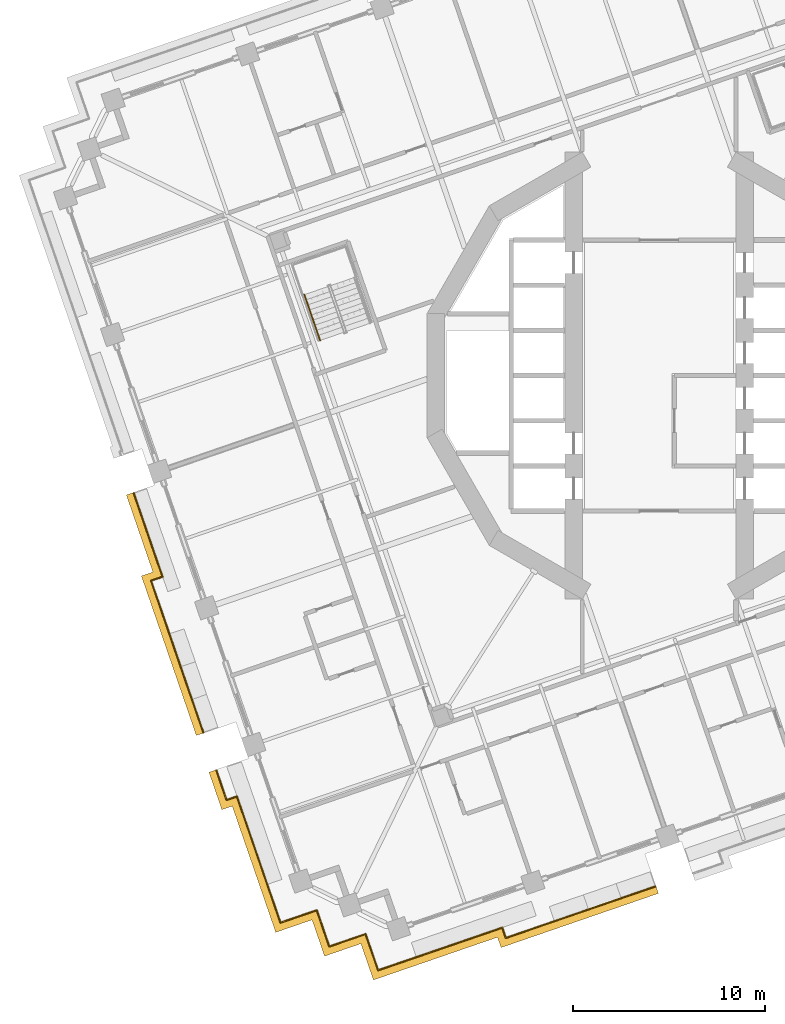
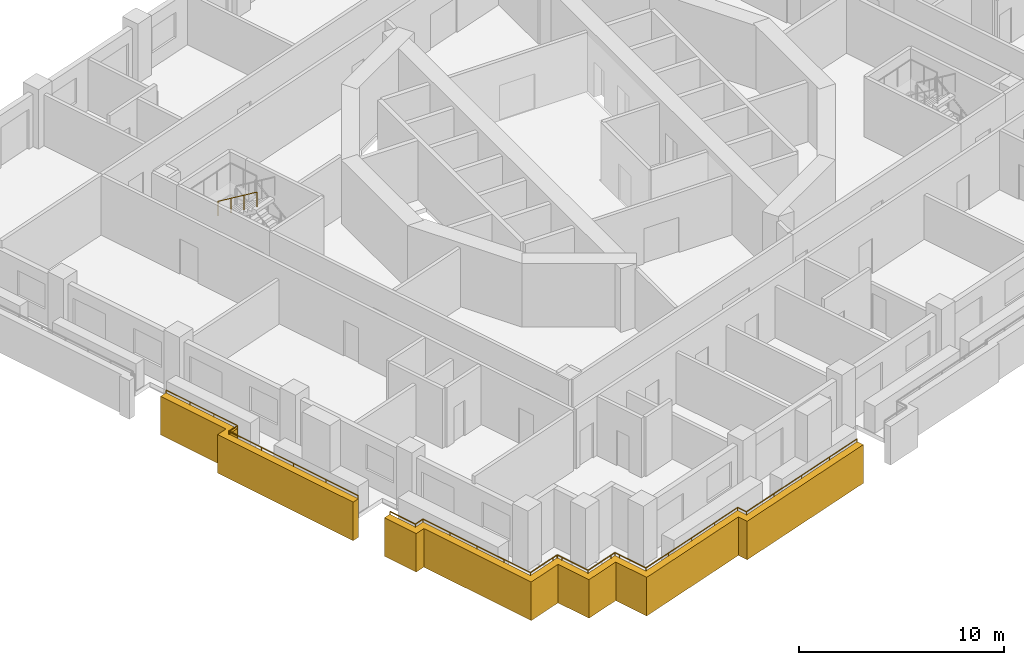
# One storey, part 12 of 19: 5 railings, 2 coverings.
"""IFC4 building model written with IfcOpenShell, lengths in metres."""

from ifc_helpers import new_model, si_unit, direction, frame, origin, origin_2d, place, context, subcontext, project, spatial, polyline, circle, outline, extrude, material, type_object, element, save


model = new_model("IFC4")

# Units and contexts
model_context = context("Model", 3, precision=1e-05, world=origin(), true_north=direction((0.0, 1.0)))
body_context = subcontext(model_context, "Body", "Model", "MODEL_VIEW")
ifc_project = project(units=[si_unit("LENGTHUNIT", "METRE"), si_unit("AREAUNIT", "SQUARE_METRE"), si_unit("VOLUMEUNIT", "CUBIC_METRE"), si_unit("PLANEANGLEUNIT", "RADIAN"), si_unit("MASSUNIT", "GRAM", prefix="KILO")], contexts=[model_context])

# Site, building, storey
site_placement = place(None, origin())
site = spatial("IfcSite", under=ifc_project, at=site_placement, CompositionType="ELEMENT")
building_placement = place(site_placement, origin())
building = spatial("IfcBuilding", under=site, at=building_placement, Name="Cantera Rosa Tower", CompositionType="ELEMENT")
storey_placement = place(building_placement, frame((0.0, 0.0, 123.10009765625)))
storey = spatial("IfcBuildingStorey", under=building, at=storey_placement, Name="L25", CompositionType="ELEMENT", Elevation=123.10009765625)

# Railings
ifc_material_1 = material(Name="Stainless steel and laminated glass", Category="steel")
railing_type_1 = type_object("IfcRailingType", Name="GUARD 1100", PredefinedType="BALUSTRADE", material=ifc_material_1)
railing_1_placement = place(storey_placement, frame((-19.705810546875, -28.466552734375, 0.0)))
element("IfcRailing", 1, at=railing_1_placement, inside=storey, type_object=railing_type_1, Name="GUARD L25-1", PredefinedType="BALUSTRADE", context=body_context, shape_type="SweptSolid", body=[
    extrude(circle(Radius=0.030029296875, at=origin_2d()), frame((0.0, 0.0, 1.070068359375), z_axis=(-0.325561349174, 0.945520918819, 0.0), x_axis=(-0.945520918819, -0.325561349174, 0.0)), (0.0, 0.0, 1.0), 1.699951171875),
    extrude(circle(Radius=0.030029296875, at=origin_2d()), frame((-0.553466796875, 1.607421875, 1.070068359375), z_axis=(-0.325547706926, 0.945525616002, 0.0), x_axis=(-0.945525616002, -0.325547706926, 0.0)), (0.0, 0.0, 1.0), 5.248779296875),
    extrude(circle(Radius=0.030029296875, at=origin_2d()), frame((-2.26220703125, 6.5703125, 1.070068359375), z_axis=(-0.945518182111, -0.325569297229, 0.0), x_axis=(0.325569297229, -0.945518182111, 0.0)), (0.0, 0.0, 1.0), 0.571533203125),
    extrude(circle(Radius=0.030029296875, at=origin_2d()), frame((-2.802490234375, 6.38427734375, 1.070068359375), z_axis=(-0.325495496573, 0.945543590593, 0.0), x_axis=(-0.945543590593, -0.325495496573, 0.0)), (0.0, 0.0, 1.0), 1.64111328125),
    extrude(circle(Radius=0.02490234375, at=origin_2d()), origin(), (0.0, 0.0, 1.0), 1.0400390625),
    extrude(circle(Radius=0.02490234375, at=origin_2d()), frame((-0.553466796875, 1.607421875, 0.0)), (0.0, 0.0, 1.0), 1.0400390625),
    extrude(circle(Radius=0.02490234375, at=origin_2d()), frame((-1.123046875, 3.26171875, 0.0)), (0.0, 0.0, 1.0), 1.0400390625),
    extrude(circle(Radius=0.02490234375, at=origin_2d()), frame((-1.692626953125, 4.916015625, 0.0)), (0.0, 0.0, 1.0), 1.0400390625),
    extrude(circle(Radius=0.02490234375, at=origin_2d()), frame((-2.26220703125, 6.5703125, 0.0)), (0.0, 0.0, 1.0), 1.0400390625),
    extrude(circle(Radius=0.02490234375, at=origin_2d()), frame((-2.802490234375, 6.38427734375, 0.0)), (0.0, 0.0, 1.0), 1.0400390625),
    extrude(circle(Radius=0.02490234375, at=origin_2d()), frame((-3.336669921875, 7.93603515625, 0.0)), (0.0, 0.0, 1.0), 1.0400390625),
])
railing_2_placement = place(storey_placement, frame((-0.187255859375, -26.57763671875, 0.0)))
element("IfcRailing", 2, at=railing_2_placement, inside=storey, type_object=railing_type_1, Name="GUARD L25-2", PredefinedType="BALUSTRADE", context=body_context, shape_type="SweptSolid", body=[
    extrude(circle(Radius=0.030029296875, at=origin_2d()), frame((0.0, 0.0, 1.070068359375), z_axis=(-0.945522782274, -0.325555937132, 0.0), x_axis=(0.325555937132, -0.945522782274, 0.0)), (0.0, 0.0, 1.0), 8.238525390625),
    extrude(circle(Radius=0.030029296875, at=origin_2d()), frame((-7.789794921875, -2.68212890625, 1.070068359375), z_axis=(-0.325871596129, 0.945414037782, 0.0), x_axis=(-0.945414037782, -0.325871596129, 0.0)), (0.0, 0.0, 1.0), 0.568603515625),
    extrude(circle(Radius=0.030029296875, at=origin_2d()), frame((-7.97509765625, -2.14453125, 1.070068359375), z_axis=(-0.945515978241, -0.325575697635, 0.0), x_axis=(0.325575697635, -0.945515978241, 0.0)), (0.0, 0.0, 1.0), 5.13134765625),
    extrude(circle(Radius=0.030029296875, at=origin_2d()), frame((-12.826904296875, -3.815185546875, 1.070068359375), z_axis=(-0.945520918819, -0.325561349174, 0.0), x_axis=(0.325561349174, -0.945520918819, 0.0)), (0.0, 0.0, 1.0), 1.699951171875),
    extrude(circle(Radius=0.030029296875, at=origin_2d()), frame((-14.434326171875, -4.36865234375, 1.070068359375), z_axis=(-0.325561349174, 0.945520918819, 0.0), x_axis=(-0.945520918819, -0.325561349174, 0.0)), (0.0, 0.0, 1.0), 1.699951171875),
    extrude(circle(Radius=0.030029296875, at=origin_2d()), frame((-14.98779296875, -2.76123046875, 1.070068359375), z_axis=(-0.325489086777, 0.945545797087, 0.0), x_axis=(-0.945545797087, -0.325489086777, 0.0)), (0.0, 0.0, 1.0), 0.300048828125),
    extrude(circle(Radius=0.030029296875, at=origin_2d()), frame((-15.08544921875, -2.4775390625, 1.070068359375), z_axis=(-0.945459489149, -0.325739703411, 0.0), x_axis=(0.325739703411, -0.945459489149, 0.0)), (0.0, 0.0, 1.0), 0.2998046875),
    extrude(circle(Radius=0.030029296875, at=origin_2d()), frame((-15.368896484375, -2.5751953125, 1.070068359375), z_axis=(-0.945520918819, -0.325561349174, 0.0), x_axis=(0.325561349174, -0.945520918819, 0.0)), (0.0, 0.0, 1.0), 1.699951171875),
    extrude(circle(Radius=0.030029296875, at=origin_2d()), frame((-16.976318359375, -3.128662109375, 1.070068359375), z_axis=(-0.325605561237, 0.945505694584, 0.0), x_axis=(-0.945505694584, -0.325605561237, 0.0)), (0.0, 0.0, 1.0), 1.69970703125),
    extrude(circle(Radius=0.030029296875, at=origin_2d()), frame((-17.52978515625, -1.521484375, 1.070068359375), z_axis=(-0.325489086777, 0.945545797087, 0.0), x_axis=(-0.945545797087, -0.325489086777, 0.0)), (0.0, 0.0, 1.0), 0.300048828125),
    extrude(circle(Radius=0.030029296875, at=origin_2d()), frame((-17.62744140625, -1.23779296875, 1.070068359375), z_axis=(-0.945545797087, -0.325489086777, 0.0), x_axis=(0.325489086777, -0.945545797087, 0.0)), (0.0, 0.0, 1.0), 0.300048828125),
    extrude(circle(Radius=0.030029296875, at=origin_2d()), frame((-17.9111328125, -1.33544921875, 1.070068359375), z_axis=(-0.945520918819, -0.325561349174, 0.0), x_axis=(0.325561349174, -0.945520918819, 0.0)), (0.0, 0.0, 1.0), 1.699951171875),
    extrude(circle(Radius=0.02490234375, at=origin_2d()), origin(), (0.0, 0.0, 1.0), 1.0400390625),
    extrude(circle(Radius=0.02490234375, at=origin_2d()), frame((-1.947509765625, -0.67041015625, 0.0)), (0.0, 0.0, 1.0), 1.0400390625),
    extrude(circle(Radius=0.02490234375, at=origin_2d()), frame((-3.89501953125, -1.341064453125, 0.0)), (0.0, 0.0, 1.0), 1.0400390625),
    extrude(circle(Radius=0.02490234375, at=origin_2d()), frame((-5.84228515625, -2.01171875, 0.0)), (0.0, 0.0, 1.0), 1.0400390625),
    extrude(circle(Radius=0.02490234375, at=origin_2d()), frame((-7.789794921875, -2.68212890625, 0.0)), (0.0, 0.0, 1.0), 1.0400390625),
    extrude(circle(Radius=0.02490234375, at=origin_2d()), frame((-7.97509765625, -2.14453125, 0.0)), (0.0, 0.0, 1.0), 1.0400390625),
    extrude(circle(Radius=0.02490234375, at=origin_2d()), frame((-9.59228515625, -2.701416015625, 0.0)), (0.0, 0.0, 1.0), 1.0400390625),
    extrude(circle(Radius=0.02490234375, at=origin_2d()), frame((-11.209716796875, -3.25830078125, 0.0)), (0.0, 0.0, 1.0), 1.0400390625),
    extrude(circle(Radius=0.02490234375, at=origin_2d()), frame((-12.826904296875, -3.815185546875, 0.0)), (0.0, 0.0, 1.0), 1.0400390625),
    extrude(circle(Radius=0.02490234375, at=origin_2d()), frame((-14.434326171875, -4.36865234375, 0.0)), (0.0, 0.0, 1.0), 1.0400390625),
    extrude(circle(Radius=0.02490234375, at=origin_2d()), frame((-14.98779296875, -2.76123046875, 0.0)), (0.0, 0.0, 1.0), 1.0400390625),
    extrude(circle(Radius=0.02490234375, at=origin_2d()), frame((-15.08544921875, -2.4775390625, 0.0)), (0.0, 0.0, 1.0), 1.0400390625),
    extrude(circle(Radius=0.02490234375, at=origin_2d()), frame((-15.368896484375, -2.5751953125, 0.0)), (0.0, 0.0, 1.0), 1.0400390625),
    extrude(circle(Radius=0.02490234375, at=origin_2d()), frame((-16.976318359375, -3.128662109375, 0.0)), (0.0, 0.0, 1.0), 1.0400390625),
    extrude(circle(Radius=0.02490234375, at=origin_2d()), frame((-17.52978515625, -1.521484375, 0.0)), (0.0, 0.0, 1.0), 1.0400390625),
    extrude(circle(Radius=0.02490234375, at=origin_2d()), frame((-17.62744140625, -1.23779296875, 0.0)), (0.0, 0.0, 1.0), 1.0400390625),
    extrude(circle(Radius=0.02490234375, at=origin_2d()), frame((-17.9111328125, -1.33544921875, 0.0)), (0.0, 0.0, 1.0), 1.0400390625),
    extrude(circle(Radius=0.02490234375, at=origin_2d()), frame((-19.5185546875, -1.888916015625, 0.0)), (0.0, 0.0, 1.0), 1.0400390625),
])
railing_3_placement = place(storey_placement, frame((-25.837158203125, -10.470947265625, 0.0)))
element("IfcRailing", 3, at=railing_3_placement, inside=storey, type_object=railing_type_1, Name="GUARD L25-5", PredefinedType="BALUSTRADE", context=body_context, shape_type="SweptSolid", body=[
    extrude(circle(Radius=0.030029296875, at=origin_2d()), frame((0.0, 0.0, 1.070068359375), z_axis=(-0.325552449264, 0.945523983185, 0.0), x_axis=(-0.945523983185, -0.325552449264, 0.0)), (0.0, 0.0, 1.0), 4.618896484375),
    extrude(circle(Radius=0.02490234375, at=origin_2d()), origin(), (0.0, 0.0, 1.0), 1.0400390625),
    extrude(circle(Radius=0.02490234375, at=origin_2d()), frame((-0.501220703125, 1.455810546875, 0.0)), (0.0, 0.0, 1.0), 1.0400390625),
    extrude(circle(Radius=0.02490234375, at=origin_2d()), frame((-1.00244140625, 2.911376953125, 0.0)), (0.0, 0.0, 1.0), 1.0400390625),
    extrude(circle(Radius=0.02490234375, at=origin_2d()), frame((-1.503662109375, 4.3671875, 0.0)), (0.0, 0.0, 1.0), 1.0400390625),
])
railing_4_placement = place(storey_placement, frame((-23.713134765625, -18.582763671875, 0.0)))
element("IfcRailing", 4, at=railing_4_placement, inside=storey, type_object=railing_type_1, Name="GUARD L25-6", PredefinedType="BALUSTRADE", context=body_context, shape_type="SweptSolid", body=[
    extrude(circle(Radius=0.030029296875, at=origin_2d()), frame((0.0, 0.0, 1.070068359375), z_axis=(-0.325567716601, 0.945518726365, 0.0), x_axis=(-0.945518726365, -0.325567716601, 0.0)), (0.0, 0.0, 1.0), 8.361328125),
    extrude(circle(Radius=0.030029296875, at=origin_2d()), frame((-2.72216796875, 7.90576171875, 1.070068359375), z_axis=(0.945471363195, 0.325705236954, 0.0), x_axis=(-0.325705236954, 0.945471363195, 0.0)), (0.0, 0.0, 1.0), 0.632568359375),
    extrude(circle(Radius=0.02490234375, at=origin_2d()), origin(), (0.0, 0.0, 1.0), 1.0400390625),
    extrude(circle(Radius=0.02490234375, at=origin_2d()), frame((-0.6806640625, 1.9765625, 0.0)), (0.0, 0.0, 1.0), 1.0400390625),
    extrude(circle(Radius=0.02490234375, at=origin_2d()), frame((-1.361083984375, 3.952880859375, 0.0)), (0.0, 0.0, 1.0), 1.0400390625),
    extrude(circle(Radius=0.02490234375, at=origin_2d()), frame((-2.04150390625, 5.92919921875, 0.0)), (0.0, 0.0, 1.0), 1.0400390625),
    extrude(circle(Radius=0.02490234375, at=origin_2d()), frame((-2.72216796875, 7.90576171875, 0.0)), (0.0, 0.0, 1.0), 1.0400390625),
    extrude(circle(Radius=0.02490234375, at=origin_2d()), frame((-2.1240234375, 8.11181640625, 0.0)), (0.0, 0.0, 1.0), 1.0400390625),
])
ifc_material_2 = material(Name="Steel S355J2 (EN 10025-2)", Category="steel")
railing_type_2 = type_object("IfcRailingType", Name="STAIR HANDRAIL 900", PredefinedType="HANDRAIL", material=ifc_material_2)
railing_5_placement = place(storey_placement, frame((-18.46484375, 4.21142578125, 2.08984375)))
element("IfcRailing", 5, at=railing_5_placement, inside=storey, type_object=railing_type_2, Name="L25 ST-22 stair handrail 2", PredefinedType="HANDRAIL", context=body_context, shape_type="SweptSolid", body=[
    extrude(circle(Radius=0.02392578125, at=origin_2d()), frame((0.0, 0.0, 0.8759765625), z_axis=(0.269432418223, -0.782404165978, 0.561471186323), x_axis=(0.94550776501, 0.325599548996, 0.0)), (0.0, 0.0, 1.0), 3.04541015625),
    extrude(circle(Radius=0.02099609375, at=origin_2d()), origin(), (0.0, 0.0, 1.0), 0.851806640625),
    extrude(circle(Radius=0.02099609375, at=origin_2d()), frame((0.2734375, -0.794189453125, 0.570068359375)), (0.0, 0.0, 1.0), 0.851806640625),
    extrude(circle(Radius=0.02099609375, at=origin_2d()), frame((0.547119140625, -1.588623046875, 1.139892578125)), (0.0, 0.0, 1.0), 0.851806640625),
    extrude(circle(Radius=0.02099609375, at=origin_2d()), frame((0.820556640625, -2.3828125, 1.7099609375)), (0.0, 0.0, 1.0), 0.851806640625),
])

# Coverings
ifc_material_3 = material(Name="Cantera stone", Category="masonry")
covering_type = type_object("IfcCoveringType", Name="TRAY FASCIA 400", PredefinedType="CLADDING", material=ifc_material_3)
covering_1_placement = place(storey_placement, frame((0.0, 0.0, -1.400146484375)))
element("IfcCovering", 6, at=covering_1_placement, inside=storey, type_object=covering_type, Name="TRAY FASCIA L25-02", PredefinedType="CLADDING", context=body_context, shape_type="SweptSolid", body=[
    extrude(outline(polyline([(-26.94384765625, -10.428955078125), (-26.345458984375, -10.22314453125), (-27.7255859375, -6.215087890625), (-27.347412109375, -6.0849609375), (-25.837158203125, -10.470947265625), (-26.435302734375, -10.677001953125), (-23.706787109375, -18.6015625), (-24.0849609375, -18.731689453125), (-26.94384765625, -10.428955078125)])), origin(), (0.0, 0.0, 1.0), 2.300048828125),
])
covering_2_placement = place(storey_placement, frame((0.0, 0.0, -1.400146484375)))
element("IfcCovering", 7, at=covering_2_placement, inside=storey, type_object=covering_type, Name="TRAY FASCIA L25-03", PredefinedType="CLADDING", context=body_context, shape_type="SweptSolid", body=[
    extrude(outline(polyline([(-8.22509765625, -29.768310546875), (-8.410400390625, -29.230712890625), (-12.8837890625, -30.77099609375), (-14.869384765625, -31.454833984375), (-15.5205078125, -29.563720703125), (-17.41162109375, -30.21484375), (-18.062744140625, -28.32373046875), (-19.953857421875, -28.974853515625), (-20.637451171875, -26.9892578125), (-22.216064453125, -22.40478515625), (-22.756103515625, -22.590576171875), (-23.42724609375, -20.641845703125), (-23.049072265625, -20.511474609375), (-22.50830078125, -22.082275390625), (-21.968017578125, -21.896240234375), (-20.25927734375, -26.859130859375), (-19.705810546875, -28.466552734375), (-18.098388671875, -27.9130859375), (-17.814697265625, -27.8154296875), (-17.717041015625, -28.09912109375), (-17.16357421875, -29.706298828125), (-15.55615234375, -29.15283203125), (-15.272705078125, -29.05517578125), (-15.175048828125, -29.3388671875), (-14.62158203125, -30.9462890625), (-13.01416015625, -30.392822265625), (-8.162353515625, -28.72216796875), (-7.97705078125, -29.259765625), (-0.16845703125, -26.571044921875), (-0.038330078125, -26.94921875), (-8.22509765625, -29.768310546875)])), origin(), (0.0, 0.0, 1.0), 2.300048828125),
])

save(model, "model.ifc")
